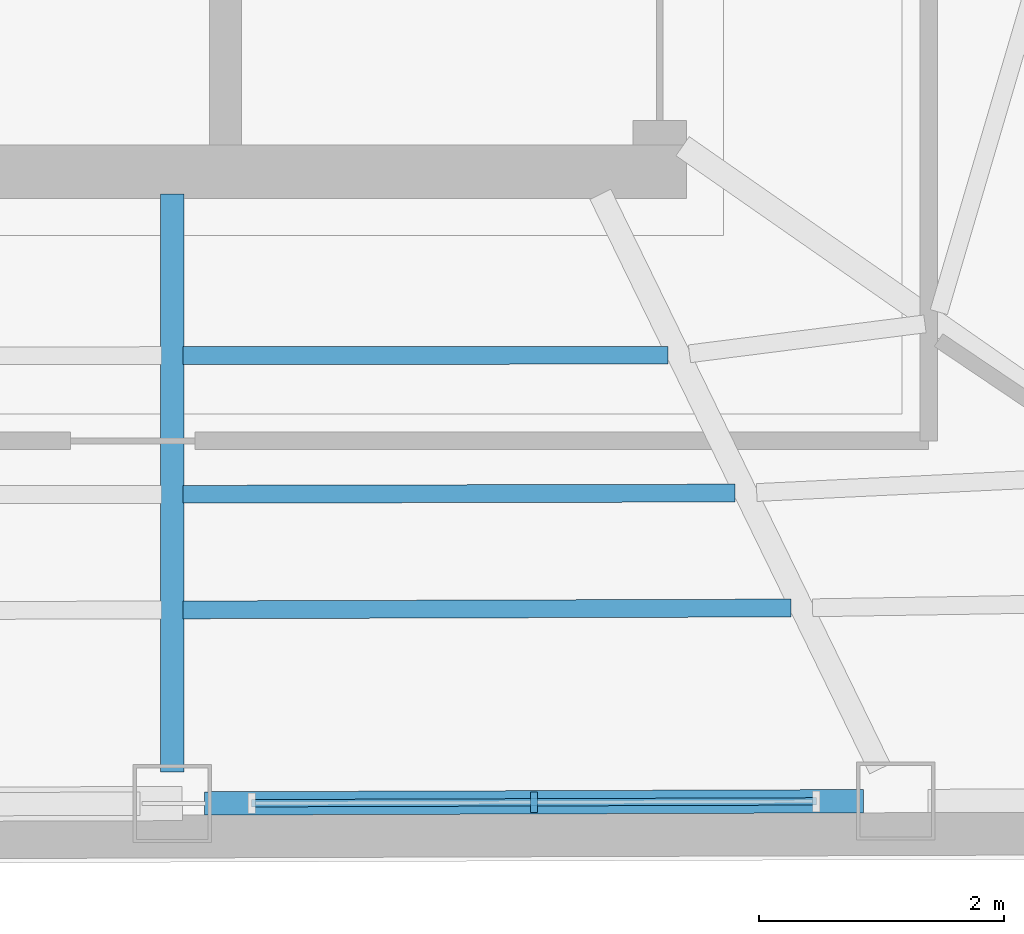
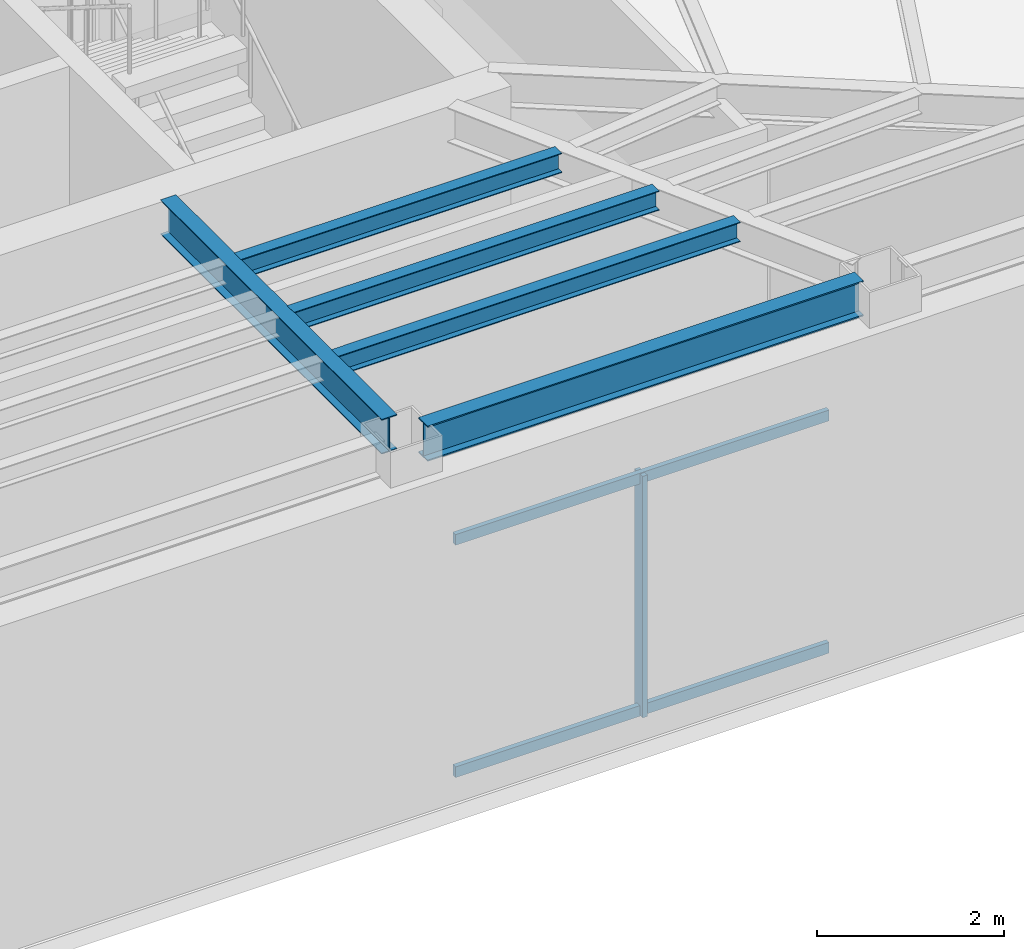
# One storey, part 3 of 14: 5 beams, 3 members, 1 element without a shape of its own.
"""IFC4 building model written with IfcOpenShell, lengths in metres."""

from ifc_helpers import new_model, si_unit, direction, frame, origin, origin_2d, place, context, subcontext, project, spatial, rectangle, i_section, extrude, material, layer, layer_set, material_profile, profile_set, type_object, element, aggregate, save


model = new_model("IFC4")

# Units and contexts
model_context = context("Model", 3, precision=1e-05, world=origin(), true_north=direction((0.0, 1.0)))
body_context = subcontext(model_context, "Body", "Model", "MODEL_VIEW")
ifc_project = project(units=[si_unit("LENGTHUNIT", "METRE"), si_unit("AREAUNIT", "SQUARE_METRE"), si_unit("VOLUMEUNIT", "CUBIC_METRE"), si_unit("PLANEANGLEUNIT", "RADIAN"), si_unit("MASSUNIT", "GRAM", prefix="KILO")], contexts=[model_context])

# Site, building, storey
site_placement = place(None, origin())
site = spatial("IfcSite", under=ifc_project, at=site_placement, CompositionType="ELEMENT")
building_placement = place(site_placement, origin())
building = spatial("IfcBuilding", under=site, at=building_placement, Name="Kavelnor Concourse Tower", CompositionType="ELEMENT")
storey_placement = place(building_placement, frame((0.0, 0.0, 160.0)))
storey = spatial("IfcBuildingStorey", under=building, at=storey_placement, Name="L40", CompositionType="ELEMENT", Elevation=160.0)

# Beams
ifc_material_1 = material(Name="Steel Grade 350", Category="steel")
ifc_material_profile_1 = material_profile(ifc_material_1, i_section(OverallWidth=0.14599609375, OverallDepth=0.256103515625, WebThickness=0.00634765625, FlangeThickness=0.010986328125, at=origin_2d()), Name="250UB37")
ifc_profile_set_1 = profile_set([ifc_material_profile_1], Name="Steel Grade 350")
beam_type_1 = type_object("IfcBeamType", Name="BM-JOIST-250", PredefinedType="JOIST", material=ifc_profile_set_1)
beam_1_placement = place(storey_placement, frame((43.842041015625, 7.876708984375, 4.6220703125), z_axis=(0.999999573335, 0.000923758689, 0.0), x_axis=(-0.000923758689, 0.999999573335, 0.0)))
element("IfcBeam", 1, at=beam_1_placement, inside=storey, type_object=beam_type_1, Name="L40 Secondary Composite Joist 06-1", PredefinedType="JOIST", context=body_context, shape_type="SweptSolid", body=[
    extrude(i_section(OverallWidth=0.14599609375, OverallDepth=0.256103515625, WebThickness=0.00634765625, FlangeThickness=0.010986328125, at=origin_2d()), origin(), (0.0, 0.0, 1.0), 3.96435546875),
])
beam_2_placement = place(storey_placement, frame((43.842041015625, 6.742431640625, 4.6220703125), z_axis=(0.999997419042, 0.00227198375, 0.0), x_axis=(-0.00227198375, 0.999997419042, 0.0)))
element("IfcBeam", 2, at=beam_2_placement, inside=storey, type_object=beam_type_1, Name="L40 Secondary Composite Joist 06-2", PredefinedType="JOIST", context=body_context, shape_type="SweptSolid", body=[
    extrude(i_section(OverallWidth=0.14599609375, OverallDepth=0.256103515625, WebThickness=0.00634765625, FlangeThickness=0.010986328125, at=origin_2d()), origin(), (0.0, 0.0, 1.0), 4.51318359375),
])
beam_3_placement = place(storey_placement, frame((43.842041015625, 5.797119140625, 4.6220703125), z_axis=(0.999995059497, 0.003143402938, 0.0), x_axis=(-0.003143402938, 0.999995059497, 0.0)))
element("IfcBeam", 3, at=beam_3_placement, inside=storey, type_object=beam_type_1, Name="L40 Secondary Composite Joist 06-3", PredefinedType="JOIST", context=body_context, shape_type="SweptSolid", body=[
    extrude(i_section(OverallWidth=0.14599609375, OverallDepth=0.256103515625, WebThickness=0.00634765625, FlangeThickness=0.010986328125, at=origin_2d()), origin(), (0.0, 0.0, 1.0), 4.970703125),
])
ifc_material_profile_2 = material_profile(ifc_material_1, i_section(OverallWidth=0.18994140625, OverallDepth=0.4541015625, WebThickness=0.008544921875, FlangeThickness=0.0126953125, at=origin_2d()), Name="460UB67")
ifc_profile_set_2 = profile_set([ifc_material_profile_2], Name="Steel Grade 350")
beam_type_2 = type_object("IfcBeamType", Name="BM-PRIMARY-460", PredefinedType="BEAM", material=ifc_profile_set_2)
beam_4_placement = place(storey_placement, frame((43.7529296875, 9.199951171875, 4.52294921875), z_axis=(0.0, -1.0, 0.0), x_axis=(1.0, 0.0, 0.0)))
element("IfcBeam", 4, at=beam_4_placement, inside=storey, type_object=beam_type_2, Name="L40 Primary Floor Girder F1-B4", PredefinedType="BEAM", context=body_context, shape_type="SweptSolid", body=[
    extrude(i_section(OverallWidth=0.18994140625, OverallDepth=0.4541015625, WebThickness=0.008544921875, FlangeThickness=0.0126953125, at=origin_2d()), origin(), (0.0, 0.0, 1.0), 4.7265625),
])
ifc_material_profile_3 = material_profile(ifc_material_1, i_section(OverallWidth=0.19091796875, OverallDepth=0.4599609375, WebThickness=0.010009765625, FlangeThickness=0.01611328125, at=origin_2d()), Name="460UB82")
ifc_profile_set_3 = profile_set([ifc_material_profile_3], Name="Steel Grade 350")
beam_type_3 = type_object("IfcBeamType", Name="BM-SPANDREL-Z3", PredefinedType="SPANDREL", material=ifc_profile_set_3)
beam_5_placement = place(storey_placement, frame((44.01806640625, 4.21435546875, 4.52001953125), z_axis=(0.999994224856, 0.003398566561, 0.0), x_axis=(-0.003398566561, 0.999994224856, 0.0)))
element("IfcBeam", 5, at=beam_5_placement, inside=storey, type_object=beam_type_3, Name="L40 Perimeter Tube Spandrel Beam F1-B4", PredefinedType="SPANDREL", context=body_context, shape_type="SweptSolid", body=[
    extrude(i_section(OverallWidth=0.19091796875, OverallDepth=0.4599609375, WebThickness=0.010009765625, FlangeThickness=0.01611328125, at=origin_2d()), origin(), (0.0, 0.0, 1.0), 5.3876953125),
])

# Curtain wall, members
ifc_material_2 = material(Name="Anodised aluminium 6063-T6", Category="aluminium")
ifc_layer = layer(ifc_material_2, 0.169921875, Name="Anodised aluminium 6063-T6")
ifc_layer_set = layer_set([ifc_layer], Name="Anodised aluminium 6063-T6")
curtain_wall_type = type_object("IfcCurtainWallType", Name="CW-SKYLOBBY-L40", PredefinedType="NOTDEFINED", material=ifc_layer_set)
curtain_wall_placement = place(storey_placement, origin())
curtain_wall = element("IfcCurtainWall", 6, at=curtain_wall_placement, inside=storey, type_object=curtain_wall_type, Name="L40 Feature Curtain Wall F1-B4", PredefinedType="NOTDEFINED")
ifc_material_profile_4 = material_profile(ifc_material_2, rectangle(XDim=0.06005859375, YDim=0.169921875, at=origin_2d()), Name="AL-MULL 60x170")
ifc_profile_set_4 = profile_set([ifc_material_profile_4], Name="Anodised aluminium 6063-T6")
member_type_1 = type_object("IfcMemberType", Name="CW-SKYLOBBY-L40-MULL", PredefinedType="MULLION", material=ifc_profile_set_4)
member_1_placement = place(storey_placement, frame((46.7119140625, 4.223388671875, 0.0), z_axis=(0.0, 0.0, 1.0), x_axis=(1.0, 0.0, 0.0)))
member_1 = element("IfcMember", 7, at=member_1_placement, type_object=member_type_1, Name="L40 Feature Curtain Wall F1-B4 Mullion 1", PredefinedType="MULLION", context=body_context, shape_type="SweptSolid", body=[
    extrude(rectangle(XDim=0.06005859375, YDim=0.169921875, at=origin_2d()), origin(), (0.0, 0.0, 1.0), 3.14990234375),
])
ifc_material_profile_5 = material_profile(ifc_material_2, rectangle(XDim=0.06005859375, YDim=0.139892578125, at=origin_2d()), Name="AL-TRAN 60x140")
ifc_profile_set_5 = profile_set([ifc_material_profile_5], Name="Anodised aluminium 6063-T6")
member_type_2 = type_object("IfcMemberType", Name="CW-SKYLOBBY-L40-TRAN", PredefinedType="USERDEFINED", material=ifc_profile_set_5)
member_2_placement = place(storey_placement, frame((44.403076171875, 4.2158203125, 0.06005859375), z_axis=(0.999994452712, 0.003330847548, 0.0), x_axis=(-0.003330847548, 0.999994452712, 0.0)))
member_2 = element("IfcMember", 8, at=member_2_placement, type_object=member_type_2, Name="L40 Feature Curtain Wall F1-B4 Transom 0-BOT", ObjectType="TRANSOM", PredefinedType="USERDEFINED", context=body_context, shape_type="SweptSolid", body=[
    extrude(rectangle(XDim=0.06005859375, YDim=0.139892578125, at=origin_2d()), origin(), (0.0, 0.0, 1.0), 4.61767578125),
])
member_3_placement = place(storey_placement, frame((44.403076171875, 4.2158203125, 3.090087890625), z_axis=(0.999994452712, 0.003330847548, 0.0), x_axis=(-0.003330847548, 0.999994452712, 0.0)))
member_3 = element("IfcMember", 9, at=member_3_placement, type_object=member_type_2, Name="L40 Feature Curtain Wall F1-B4 Transom 0-TOP", ObjectType="TRANSOM", PredefinedType="USERDEFINED", context=body_context, shape_type="SweptSolid", body=[
    extrude(rectangle(XDim=0.06005859375, YDim=0.139892578125, at=origin_2d()), origin(), (0.0, 0.0, 1.0), 4.61767578125),
])
aggregate(curtain_wall, [member_1, member_2, member_3])

save(model, "model.ifc")
